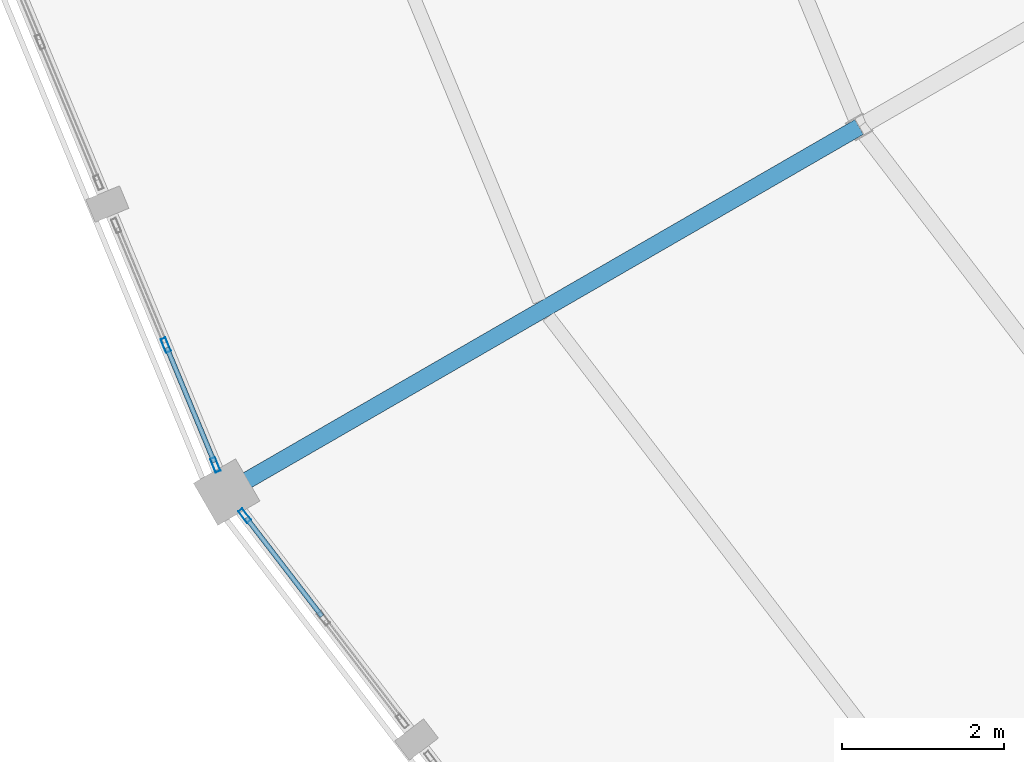
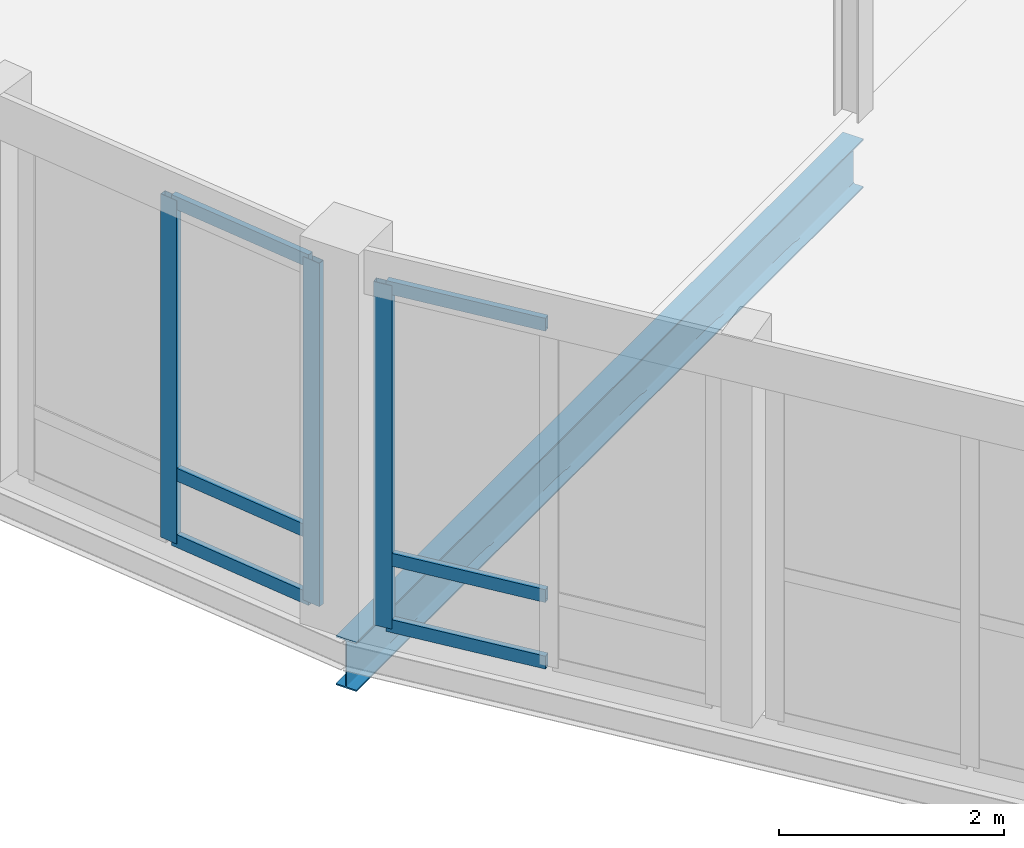
# One storey, part 38 of 200: 9 members, 1 beam, 2 elements without a shape of their own.
"""IFC4 building model written with IfcOpenShell, lengths in metres."""

from ifc_helpers import new_model, si_unit, direction, frame, origin, origin_2d, place, context, subcontext, project, spatial, hollow_rectangle, i_section, extrude, material, material_profile, profile_set, type_object, element, aggregate, save


model = new_model("IFC4")

# Units and contexts
model_context = context("Model", 3, precision=1e-05, world=origin(), true_north=direction((0.0, 1.0)))
body_context = subcontext(model_context, "Body", "Model", "MODEL_VIEW")
ifc_project = project(units=[si_unit("LENGTHUNIT", "METRE"), si_unit("AREAUNIT", "SQUARE_METRE"), si_unit("VOLUMEUNIT", "CUBIC_METRE"), si_unit("PLANEANGLEUNIT", "RADIAN"), si_unit("MASSUNIT", "GRAM", prefix="KILO")], contexts=[model_context])

# Site, building, storey
site_placement = place(None, origin())
site = spatial("IfcSite", under=ifc_project, at=site_placement, CompositionType="ELEMENT")
building_placement = place(site_placement, origin())
building = spatial("IfcBuilding", under=site, at=building_placement, Name="Vondelvale Polytechnic", CompositionType="ELEMENT")
storey_placement = place(building_placement, frame((0.0, 0.0, 13.800048828125)))
storey = spatial("IfcBuildingStorey", under=building, at=storey_placement, Name="L03", CompositionType="ELEMENT", Elevation=13.800048828125)

# Beam
ifc_material_1 = material(Name="Steel 300PLUS (fy = 300 MPa)", Category="steel")
ifc_material_profile_1 = material_profile(ifc_material_1, i_section(OverallWidth=0.208984375, OverallDepth=0.532958984375, WebThickness=0.01025390625, FlangeThickness=0.015625, FilletRadius=0.013916015625, at=origin_2d()), Name="530UB92.4")
ifc_profile_set_1 = profile_set([ifc_material_profile_1], Name="Steel 300PLUS (fy = 300 MPa)")
beam_type = type_object("IfcBeamType", Name="BM-UB530", PredefinedType="BEAM", material=ifc_profile_set_1)
beam_placement = place(storey_placement, frame((69.95703125, 53.5, -0.5166015625), z_axis=(-0.866024315419, -0.5000018851, 0.0), x_axis=(0.5000018851, -0.866024315419, 0.0)))
element("IfcBeam", 1, at=beam_placement, inside=storey, type_object=beam_type, Name="L03 RG B-11", PredefinedType="BEAM", context=body_context, shape_type="SweptSolid", body=[
    extrude(i_section(OverallWidth=0.208984375, OverallDepth=0.532958984375, WebThickness=0.01025390625, FlangeThickness=0.015625, FilletRadius=0.013916015625, at=origin_2d()), origin(), (0.0, 0.0, 1.0), 9.0),
])

# Curtain wall, members
ifc_material_2 = material(Name="Glulam GL18 structural Tasmanian oak (fb = 42 MPa)", Category="wood")
curtain_wall_type = type_object("IfcCurtainWallType", Name="CW-RING-OUTER", PredefinedType="NOTDEFINED", material=ifc_material_2)
curtain_wall_1_placement = place(storey_placement, origin())
curtain_wall_1 = element("IfcCurtainWall", 2, at=curtain_wall_1_placement, inside=storey, type_object=curtain_wall_type, Name="L03 architectural curtain wall CW-04-290", PredefinedType="NOTDEFINED")
ifc_material_3 = material(Name="Anodised extruded aluminium 6063-T6", Category="aluminium")
ifc_material_profile_2 = material_profile(ifc_material_3, hollow_rectangle(XDim=0.06494140625, YDim=0.179931640625, WallThickness=0.00390625, at=origin_2d()), Name="CW-MUL-180x65")
ifc_profile_set_2 = profile_set([ifc_material_profile_2], Name="Anodised extruded aluminium 6063-T6")
member_type_1 = type_object("IfcMemberType", Name="CW-MUL-65x180", PredefinedType="MULLION", material=ifc_profile_set_2)
member_1_placement = place(storey_placement, frame((61.41259765625, 50.81103515625, 0.0), z_axis=(0.0, 0.0, 1.0), x_axis=(0.923882033442, 0.382677394529, 0.0)))
member_1 = element("IfcMember", 3, at=member_1_placement, type_object=member_type_1, Name="CW-04-290 mullion 2", PredefinedType="MULLION", context=body_context, shape_type="SweptSolid", body=[
    extrude(hollow_rectangle(XDim=0.06494140625, YDim=0.179931640625, WallThickness=0.00390625, at=origin_2d()), origin(), (0.0, 0.0, 1.0), 3.719970703125),
])
member_2_placement = place(storey_placement, frame((62.02294921875, 49.33740234375, 0.0), z_axis=(0.0, 0.0, 1.0), x_axis=(0.923882033442, 0.382677394529, 0.0)))
member_2 = element("IfcMember", 4, at=member_2_placement, type_object=member_type_1, Name="CW-04-290 mullion 3", PredefinedType="MULLION", context=body_context, shape_type="SweptSolid", body=[
    extrude(hollow_rectangle(XDim=0.06494140625, YDim=0.179931640625, WallThickness=0.00390625, at=origin_2d()), origin(), (0.0, 0.0, 1.0), 3.719970703125),
])

# Curtain wall, member
curtain_wall_2_placement = place(storey_placement, origin())
curtain_wall_2 = element("IfcCurtainWall", 5, at=curtain_wall_2_placement, inside=storey, type_object=curtain_wall_type, Name="L03 architectural curtain wall CW-04-307", PredefinedType="NOTDEFINED")
member_3_placement = place(storey_placement, frame((62.385009765625, 48.710205078125, 0.0), z_axis=(0.0, 0.0, 1.0), x_axis=(0.793333825656, 0.608786860133, 0.0)))
member_3 = element("IfcMember", 6, at=member_3_placement, type_object=member_type_1, Name="CW-04-307 mullion 1", PredefinedType="MULLION", context=body_context, shape_type="SweptSolid", body=[
    extrude(hollow_rectangle(XDim=0.06494140625, YDim=0.179931640625, WallThickness=0.00390625, at=origin_2d()), origin(), (0.0, 0.0, 1.0), 3.719970703125),
])

# Member
ifc_material_profile_3 = material_profile(ifc_material_3, hollow_rectangle(XDim=0.06005859375, YDim=0.139892578125, WallThickness=0.00341796875, at=origin_2d()), Name="CW-TRN-140x60")
ifc_profile_set_3 = profile_set([ifc_material_profile_3], Name="Anodised extruded aluminium 6063-T6")
member_type_2 = type_object("IfcMemberType", Name="CW-TRN-60x140", PredefinedType="USERDEFINED", material=ifc_profile_set_3)
member_4_placement = place(storey_placement, frame((61.425048828125, 50.781005859375, 0.030029296875), z_axis=(0.382779237206, -0.923839843027, 0.0), x_axis=(0.923839843027, 0.382779237206, 0.0)))
member_4 = element("IfcMember", 7, at=member_4_placement, type_object=member_type_2, Name="CW-04-290 transom 2.1", ObjectType="TRANSOM", PredefinedType="USERDEFINED", context=body_context, shape_type="SweptSolid", body=[
    extrude(hollow_rectangle(XDim=0.06005859375, YDim=0.139892578125, WallThickness=0.00341796875, at=origin_2d()), origin(), (0.0, 0.0, 1.0), 1.530029296875),
])

member_5_placement = place(storey_placement, frame((61.425048828125, 50.781005859375, 0.75), z_axis=(0.382779237206, -0.923839843027, 0.0), x_axis=(0.923839843027, 0.382779237206, 0.0)))
member_5 = element("IfcMember", 8, at=member_5_placement, type_object=member_type_2, Name="CW-04-290 transom 2.2", ObjectType="TRANSOM", PredefinedType="USERDEFINED", context=body_context, shape_type="SweptSolid", body=[
    extrude(hollow_rectangle(XDim=0.06005859375, YDim=0.139892578125, WallThickness=0.00341796875, at=origin_2d()), origin(), (0.0, 0.0, 1.0), 1.530029296875),
])

member_6_placement = place(storey_placement, frame((61.425048828125, 50.781005859375, 3.68994140625), z_axis=(0.382779237206, -0.923839843027, 0.0), x_axis=(0.923839843027, 0.382779237206, 0.0)))
member_6 = element("IfcMember", 9, at=member_6_placement, type_object=member_type_2, Name="CW-04-290 transom 2.3", ObjectType="TRANSOM", PredefinedType="USERDEFINED", context=body_context, shape_type="SweptSolid", body=[
    extrude(hollow_rectangle(XDim=0.06005859375, YDim=0.139892578125, WallThickness=0.00341796875, at=origin_2d()), origin(), (0.0, 0.0, 1.0), 1.530029296875),
])

aggregate(curtain_wall_1, [member_1, member_2, member_4, member_5, member_6])

member_7_placement = place(storey_placement, frame((62.40478515625, 48.684326171875, 0.030029296875), z_axis=(0.608923875222, -0.7932286645, 0.0), x_axis=(0.7932286645, 0.608923875222, 0.0)))
member_7 = element("IfcMember", 10, at=member_7_placement, type_object=member_type_2, Name="CW-04-307 transom 1.1", ObjectType="TRANSOM", PredefinedType="USERDEFINED", context=body_context, shape_type="SweptSolid", body=[
    extrude(hollow_rectangle(XDim=0.06005859375, YDim=0.139892578125, WallThickness=0.00341796875, at=origin_2d()), origin(), (0.0, 0.0, 1.0), 1.530029296875),
])

member_8_placement = place(storey_placement, frame((62.40478515625, 48.684326171875, 0.75), z_axis=(0.608923875222, -0.7932286645, 0.0), x_axis=(0.7932286645, 0.608923875222, 0.0)))
member_8 = element("IfcMember", 11, at=member_8_placement, type_object=member_type_2, Name="CW-04-307 transom 1.2", ObjectType="TRANSOM", PredefinedType="USERDEFINED", context=body_context, shape_type="SweptSolid", body=[
    extrude(hollow_rectangle(XDim=0.06005859375, YDim=0.139892578125, WallThickness=0.00341796875, at=origin_2d()), origin(), (0.0, 0.0, 1.0), 1.530029296875),
])

member_9_placement = place(storey_placement, frame((62.40478515625, 48.684326171875, 3.68994140625), z_axis=(0.608923875222, -0.7932286645, 0.0), x_axis=(0.7932286645, 0.608923875222, 0.0)))
member_9 = element("IfcMember", 12, at=member_9_placement, type_object=member_type_2, Name="CW-04-307 transom 1.3", ObjectType="TRANSOM", PredefinedType="USERDEFINED", context=body_context, shape_type="SweptSolid", body=[
    extrude(hollow_rectangle(XDim=0.06005859375, YDim=0.139892578125, WallThickness=0.00341796875, at=origin_2d()), origin(), (0.0, 0.0, 1.0), 1.530029296875),
])

aggregate(curtain_wall_2, [member_3, member_7, member_8, member_9])

save(model, "model.ifc")
